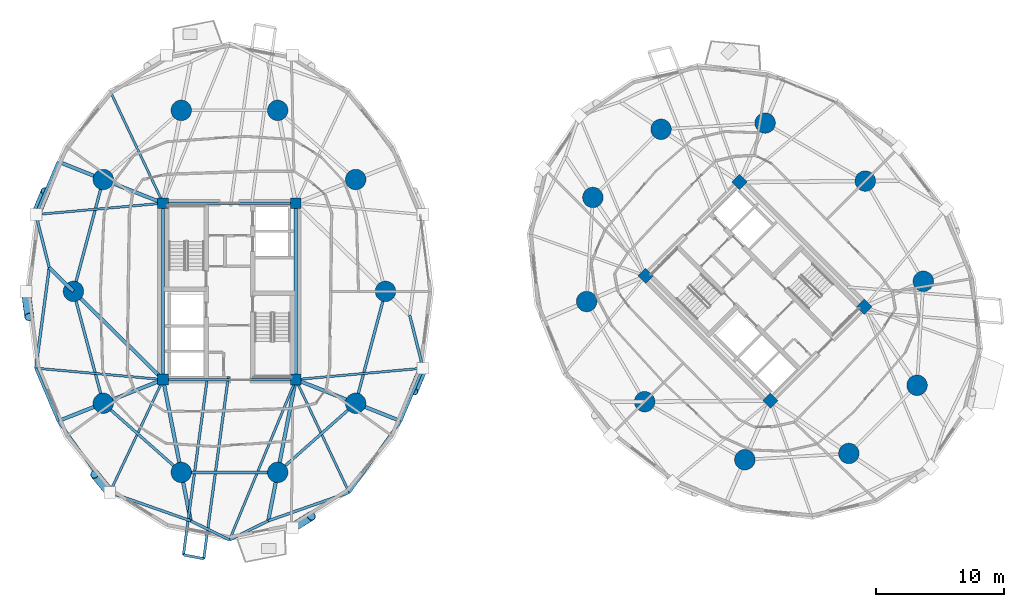
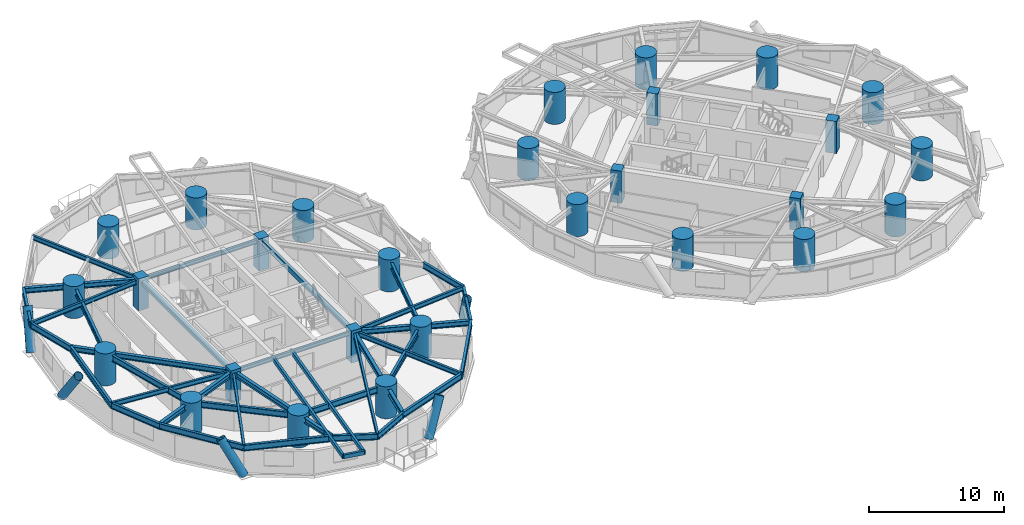
# One storey, part 1 of 18: 39 beams, 28 columns, 5 members.
"""IFC4 building model written with IfcOpenShell, lengths in metres."""

from ifc_helpers import new_model, si_unit, direction, frame, origin, origin_2d, place, context, subcontext, project, spatial, rectangle, hollow_rectangle, circle, hollow_circle, i_section, extrude, material, material_profile, profile_set, type_object, element, save


model = new_model("IFC4")

# Units and contexts
model_context = context("Model", 3, precision=1e-05, world=origin(), true_north=direction((0.0, 1.0)))
body_context = subcontext(model_context, "Body", "Model", "MODEL_VIEW")
ifc_project = project(units=[si_unit("LENGTHUNIT", "METRE"), si_unit("AREAUNIT", "SQUARE_METRE"), si_unit("VOLUMEUNIT", "CUBIC_METRE"), si_unit("PLANEANGLEUNIT", "RADIAN"), si_unit("MASSUNIT", "GRAM", prefix="KILO")], contexts=[model_context])

# Site, building, storey
site_placement = place(None, origin())
site = spatial("IfcSite", under=ifc_project, at=site_placement, CompositionType="ELEMENT")
building_placement = place(site_placement, origin())
building = spatial("IfcBuilding", under=site, at=building_placement, Name="Cununo Teusaquillo Station Towers", CompositionType="ELEMENT")
storey_placement = place(building_placement, frame((0.0, 0.0, 56.919921875)))
storey = spatial("IfcBuildingStorey", under=building, at=storey_placement, Name="L17", CompositionType="ELEMENT", Elevation=56.919921875)

# Columns
ifc_material_1 = material(Name="Concrete C50/60", Category="concrete")
ifc_material_profile_1 = material_profile(ifc_material_1, rectangle(XDim=0.85009765625, YDim=0.85009765625, at=origin_2d()), Name="RC-RECT-850x850")
ifc_profile_set_1 = profile_set([ifc_material_profile_1], Name="Concrete C50/60")
column_type_1 = type_object("IfcColumnType", Name="COL-CORE-Z1", PredefinedType="COLUMN", material=ifc_profile_set_1)
for number, where, z_axis, x_axis, name in (
    (1, (11.324951171875, 17.6201171875, 0.0), (0.0, 0.0, 1.0), (1.0, 0.0, 0.0), "L17 Tower A Core Column 1"),
    (2, (11.324951171875, 31.3798828125, 0.0), (0.0, 0.0, 1.0), (1.0, 0.0, 0.0), "L17 Tower A Core Column 2"),
    (3, (21.675048828125, 17.6201171875, 0.0), (0.0, 0.0, 1.0), (1.0, 0.0, 0.0), "L17 Tower A Core Column 3"),
    (4, (21.675048828125, 31.3798828125, 0.0), (0.0, 0.0, 1.0), (1.0, 0.0, 0.0), "L17 Tower A Core Column 4"),
    (5, (58.70556640625, 15.975830078125, 0.0), (0.0, 0.0, 1.0), (0.707106781187, 0.707106781187, 0.0), "L17 Tower B Core Column 1"),
    (6, (48.975830078125, 25.70556640625, 0.0), (0.0, 0.0, 1.0), (0.707106781187, 0.707106781187, 0.0), "L17 Tower B Core Column 2"),
    (7, (66.024169921875, 23.29443359375, 0.0), (0.0, 0.0, 1.0), (0.707106781187, 0.707106781187, 0.0), "L17 Tower B Core Column 3"),
    (8, (56.29443359375, 33.024169921875, 0.0), (0.0, 0.0, 1.0), (0.707106781187, 0.707106781187, 0.0), "L17 Tower B Core Column 4"),
):
    element("IfcColumn", number, at=place(storey_placement, frame(where, z_axis=z_axis, x_axis=x_axis)), inside=storey, type_object=column_type_1, Name=name, PredefinedType="COLUMN", context=body_context, shape_type="SweptSolid", body=[
        extrude(rectangle(XDim=0.85009765625, YDim=0.85009765625, at=origin_2d()), origin(), (0.0, 0.0, 1.0), 2.91015625),
    ])
ifc_material_2 = material(Name="Concrete C60/75", Category="concrete")
ifc_material_profile_2 = material_profile(ifc_material_2, circle(Radius=0.800048828125, at=origin_2d()), Name="RC-CIRC-1600")
ifc_profile_set_2 = profile_set([ifc_material_profile_2], Name="Concrete C60/75")
column_type_2 = type_object("IfcColumnType", Name="COL-MEGA-Z1", PredefinedType="USERDEFINED", material=ifc_profile_set_2)
for number, where, z_axis, x_axis, name in (
    (9, (28.672119140625, 24.5, 0.0), (0.0, 0.0, 1.0), (1.0, 0.0, 0.0), "L17 Tower A Perimeter Column V00"),
    (10, (26.347412109375, 33.228515625, 0.0), (0.0, 0.0, 1.0), (1.0, 0.0, 0.0), "L17 Tower A Perimeter Column V02"),
    (11, (20.261474609375, 38.623291015625, 0.0), (0.0, 0.0, 1.0), (1.0, 0.0, 0.0), "L17 Tower A Perimeter Column V04"),
    (12, (12.738525390625, 38.623291015625, 0.0), (0.0, 0.0, 1.0), (1.0, 0.0, 0.0), "L17 Tower A Perimeter Column V06"),
    (13, (6.652587890625, 33.228515625, 0.0), (0.0, 0.0, 1.0), (1.0, 0.0, 0.0), "L17 Tower A Perimeter Column V08"),
    (14, (4.327880859375, 24.5, 0.0), (0.0, 0.0, 1.0), (1.0, 0.0, 0.0), "L17 Tower A Perimeter Column V10"),
    (15, (6.652587890625, 15.771484375, 0.0), (0.0, 0.0, 1.0), (1.0, 0.0, 0.0), "L17 Tower A Perimeter Column V12"),
    (16, (12.738525390625, 10.376708984375, 0.0), (0.0, 0.0, 1.0), (1.0, 0.0, 0.0), "L17 Tower A Perimeter Column V14"),
    (17, (20.261474609375, 10.376708984375, 0.0), (0.0, 0.0, 1.0), (1.0, 0.0, 0.0), "L17 Tower A Perimeter Column V16"),
    (18, (26.347412109375, 15.771484375, 0.0), (0.0, 0.0, 1.0), (1.0, 0.0, 0.0), "L17 Tower A Perimeter Column V18"),
    (19, (66.10693359375, 33.10693359375, 0.0), (0.0, 0.0, 1.0), (1.0, 0.0, 0.0), "L17 Tower B Perimeter Column V00"),
    (20, (58.291015625, 37.63525390625, 0.0), (0.0, 0.0, 1.0), (1.0, 0.0, 0.0), "L17 Tower B Perimeter Column V02"),
    (21, (50.173095703125, 37.146240234375, 0.0), (0.0, 0.0, 1.0), (1.0, 0.0, 0.0), "L17 Tower B Perimeter Column V04"),
    (22, (44.853759765625, 31.826904296875, 0.0), (0.0, 0.0, 1.0), (1.0, 0.0, 0.0), "L17 Tower B Perimeter Column V06"),
    (23, (44.36474609375, 23.708984375, 0.0), (0.0, 0.0, 1.0), (1.0, 0.0, 0.0), "L17 Tower B Perimeter Column V08"),
    (24, (48.89306640625, 15.89306640625, 0.0), (0.0, 0.0, 1.0), (1.0, 0.0, 0.0), "L17 Tower B Perimeter Column V10"),
    (25, (56.708984375, 11.36474609375, 0.0), (0.0, 0.0, 1.0), (1.0, 0.0, 0.0), "L17 Tower B Perimeter Column V12"),
    (26, (64.826904296875, 11.853759765625, 0.0), (0.0, 0.0, 1.0), (1.0, 0.0, 0.0), "L17 Tower B Perimeter Column V14"),
    (27, (70.146240234375, 17.173095703125, 0.0), (0.0, 0.0, 1.0), (1.0, 0.0, 0.0), "L17 Tower B Perimeter Column V16"),
    (28, (70.63525390625, 25.291015625, 0.0), (0.0, 0.0, 1.0), (1.0, 0.0, 0.0), "L17 Tower B Perimeter Column V18"),
):
    element("IfcColumn", number, at=place(storey_placement, frame(where, z_axis=z_axis, x_axis=x_axis)), inside=storey, type_object=column_type_2, Name=name, ObjectType="MEGA COLUMN", PredefinedType="USERDEFINED", context=body_context, shape_type="SweptSolid", body=[
        extrude(circle(Radius=0.800048828125, at=origin_2d()), origin(), (0.0, 0.0, 1.0), 2.91015625),
    ])

# Beams
ifc_material_3 = material(Name="Steel EN 10025-2 S355J2", Category="steel")
ifc_material_profile_3 = material_profile(ifc_material_3, hollow_rectangle(XDim=0.199951171875, YDim=0.35009765625, WallThickness=0.013916015625, at=origin_2d()), Name="RHS 350x200x14")
ifc_profile_set_3 = profile_set([ifc_material_profile_3], Name="Steel EN 10025-2 S355J2")
beam_type_1 = type_object("IfcBeamType", Name="BM-BAL-CANT", PredefinedType="BEAM", material=ifc_profile_set_3)
beam_1_placement = place(storey_placement, frame((14.78759765625, 17.85009765625, 2.47509765625), z_axis=(-0.133936830088, -0.990989871566, 0.0), x_axis=(0.990989871566, -0.133936830088, 0.0)))
element("IfcBeam", 29, at=beam_1_placement, inside=storey, type_object=beam_type_1, Name="L17 Tower A Balcony Cantilever Bracket 2A", PredefinedType="BEAM", context=body_context, shape_type="SweptSolid", body=[
    extrude(hollow_rectangle(XDim=0.199951171875, YDim=0.35009765625, WallThickness=0.013916015625, at=origin_2d()), origin(), (0.0, 0.0, 1.0), 14.031982421875),
])
beam_2_placement = place(storey_placement, frame((16.415283203125, 17.85009765625, 2.47509765625), z_axis=(-0.133924221821, -0.990991575549, 0.0), x_axis=(0.990991575549, -0.133924221821, 0.0)))
element("IfcBeam", 30, at=beam_2_placement, inside=storey, type_object=beam_type_1, Name="L17 Tower A Balcony Cantilever Bracket 2B", PredefinedType="BEAM", context=body_context, shape_type="SweptSolid", body=[
    extrude(hollow_rectangle(XDim=0.199951171875, YDim=0.35009765625, WallThickness=0.013916015625, at=origin_2d()), origin(), (0.0, 0.0, 1.0), 14.34130859375),
])
ifc_material_4 = material(Name="Steel EN 10025-2 S355J2", Category="steel")
ifc_material_profile_4 = material_profile(ifc_material_4, hollow_rectangle(XDim=0.25, YDim=0.449951171875, WallThickness=0.01611328125, at=origin_2d()), Name="RHS 450x250x16")
ifc_profile_set_4 = profile_set([ifc_material_profile_4], Name="Steel EN 10025-2 S355J2")
beam_type_2 = type_object("IfcBeamType", Name="BM-COUP-1", PredefinedType="USERDEFINED", material=ifc_profile_set_4)
for number, where, z_axis, x_axis, name in (
    (31, (11.324951171875, 17.6201171875, 2.425048828125), (0.0, 1.0, 0.0), (-1.0, 0.0, 0.0), "L17 Tower A Core Beam 1"),
    (32, (21.675048828125, 17.6201171875, 2.425048828125), (0.0, 1.0, 0.0), (-1.0, 0.0, 0.0), "L17 Tower A Core Beam 2"),
):
    element("IfcBeam", number, at=place(storey_placement, frame(where, z_axis=z_axis, x_axis=x_axis)), inside=storey, type_object=beam_type_2, Name=name, ObjectType="COUPLING BEAM", PredefinedType="USERDEFINED", context=body_context, shape_type="SweptSolid", body=[
        extrude(hollow_rectangle(XDim=0.25, YDim=0.449951171875, WallThickness=0.01611328125, at=origin_2d()), origin(), (0.0, 0.0, 1.0), 13.759765625),
    ])
ifc_material_5 = material(Name="Steel ASTM A572 Grade 50", Category="steel")
ifc_material_profile_5 = material_profile(ifc_material_5, i_section(OverallWidth=0.180908203125, OverallDepth=0.4169921875, WebThickness=0.010986328125, FlangeThickness=0.018310546875, FilletRadius=0.012939453125, at=origin_2d()), Name="W16X57")
ifc_profile_set_5 = profile_set([ifc_material_profile_5], Name="Steel ASTM A572 Grade 50")
beam_type_3 = type_object("IfcBeamType", Name="BM-JOIST-1", PredefinedType="JOIST", material=ifc_profile_set_5)
beam_3_placement = place(storey_placement, frame((11.324951171875, 31.3798828125, 2.441650390625), z_axis=(-0.427160580437, 0.904175778552, 0.0), x_axis=(-0.904175778552, -0.427160580437, 0.0)))
element("IfcBeam", 33, at=beam_3_placement, inside=storey, type_object=beam_type_3, Name="L17 Tower A Radial Spandrel Joist V07", PredefinedType="JOIST", context=body_context, shape_type="SweptSolid", body=[
    extrude(i_section(OverallWidth=0.180908203125, OverallDepth=0.4169921875, WebThickness=0.010986328125, FlangeThickness=0.018310546875, FilletRadius=0.012939453125, at=origin_2d()), origin(), (0.0, 0.0, 1.0), 9.740234375),
])
for number, where, z_axis, x_axis, name in (
    (34, (11.324951171875, 31.3798828125, 2.441650390625), (-0.996024214913, -0.089082901314, 0.0), (0.089082901314, -0.996024214913, 0.0), "L17 Tower A Radial Spandrel Joist V09"),
    (35, (11.324951171875, 17.6201171875, 2.441650390625), (-0.996024214913, 0.089082901314, 0.0), (-0.089082901314, -0.996024214913, 0.0), "L17 Tower A Radial Spandrel Joist V11"),
):
    element("IfcBeam", number, at=place(storey_placement, frame(where, z_axis=z_axis, x_axis=x_axis)), inside=storey, type_object=beam_type_3, Name=name, PredefinedType="JOIST", context=body_context, shape_type="SweptSolid", body=[
        extrude(i_section(OverallWidth=0.180908203125, OverallDepth=0.4169921875, WebThickness=0.010986328125, FlangeThickness=0.018310546875, FilletRadius=0.012939453125, at=origin_2d()), origin(), (0.0, 0.0, 1.0), 9.97021484375),
    ])
beam_4_placement = place(storey_placement, frame((11.324951171875, 17.6201171875, 2.441650390625), z_axis=(-0.427160580437, -0.904175778552, 0.0), x_axis=(0.904175778552, -0.427160580437, 0.0)))
element("IfcBeam", 36, at=beam_4_placement, inside=storey, type_object=beam_type_3, Name="L17 Tower A Radial Spandrel Joist V13", PredefinedType="JOIST", context=body_context, shape_type="SweptSolid", body=[
    extrude(i_section(OverallWidth=0.180908203125, OverallDepth=0.4169921875, WebThickness=0.010986328125, FlangeThickness=0.018310546875, FilletRadius=0.012939453125, at=origin_2d()), origin(), (0.0, 0.0, 1.0), 9.740234375),
])
beam_5_placement = place(storey_placement, frame((21.675048828125, 17.6201171875, 2.441650390625), z_axis=(-0.382256753081, -0.924056153447, 0.0), x_axis=(0.924056153447, -0.382256753081, 0.0)))
element("IfcBeam", 37, at=beam_5_placement, inside=storey, type_object=beam_type_3, Name="L17 Tower A Radial Spandrel Joist V15", PredefinedType="JOIST", context=body_context, shape_type="SweptSolid", body=[
    extrude(i_section(OverallWidth=0.180908203125, OverallDepth=0.4169921875, WebThickness=0.010986328125, FlangeThickness=0.018310546875, FilletRadius=0.012939453125, at=origin_2d()), origin(), (0.0, 0.0, 1.0), 13.5380859375),
])
beam_6_placement = place(storey_placement, frame((21.675048828125, 17.6201171875, 2.441650390625), z_axis=(0.427160580437, -0.904175778552, 0.0), x_axis=(0.904175778552, 0.427160580437, 0.0)))
element("IfcBeam", 38, at=beam_6_placement, inside=storey, type_object=beam_type_3, Name="L17 Tower A Radial Spandrel Joist V17", PredefinedType="JOIST", context=body_context, shape_type="SweptSolid", body=[
    extrude(i_section(OverallWidth=0.180908203125, OverallDepth=0.4169921875, WebThickness=0.010986328125, FlangeThickness=0.018310546875, FilletRadius=0.012939453125, at=origin_2d()), origin(), (0.0, 0.0, 1.0), 9.740234375),
])
beam_7_placement = place(storey_placement, frame((21.675048828125, 17.6201171875, 2.441650390625), z_axis=(0.996024214913, 0.089082901314, 0.0), x_axis=(-0.089082901314, 0.996024214913, 0.0)))
element("IfcBeam", 39, at=beam_7_placement, inside=storey, type_object=beam_type_3, Name="L17 Tower A Radial Spandrel Joist V19", PredefinedType="JOIST", context=body_context, shape_type="SweptSolid", body=[
    extrude(i_section(OverallWidth=0.180908203125, OverallDepth=0.4169921875, WebThickness=0.010986328125, FlangeThickness=0.018310546875, FilletRadius=0.012939453125, at=origin_2d()), origin(), (0.0, 0.0, 1.0), 9.97021484375),
])
ifc_material_6 = material(Name="Steel ASTM A572 Grade 50", Category="steel")
ifc_material_profile_6 = material_profile(ifc_material_6, i_section(OverallWidth=0.2041015625, OverallDepth=0.35009765625, WebThickness=0.008544921875, FlangeThickness=0.01513671875, FilletRadius=0.011962890625, at=origin_2d()), Name="W14X48")
ifc_profile_set_6 = profile_set([ifc_material_profile_6], Name="Steel ASTM A572 Grade 50")
beam_type_4 = type_object("IfcBeamType", Name="BM-LINTEL-1", PredefinedType="LINTEL", material=ifc_profile_set_6)
for number, where, z_axis, x_axis, name in (
    (40, (11.324951171875, 17.6201171875, 2.47509765625), (1.0, 0.0, 0.0), (0.0, 1.0, 0.0), "L17 Tower A Core Beam 3"),
    (41, (11.324951171875, 31.3798828125, 2.47509765625), (1.0, 0.0, 0.0), (0.0, 1.0, 0.0), "L17 Tower A Core Beam 4"),
):
    element("IfcBeam", number, at=place(storey_placement, frame(where, z_axis=z_axis, x_axis=x_axis)), inside=storey, type_object=beam_type_4, Name=name, PredefinedType="LINTEL", context=body_context, shape_type="SweptSolid", body=[
        extrude(i_section(OverallWidth=0.2041015625, OverallDepth=0.35009765625, WebThickness=0.008544921875, FlangeThickness=0.01513671875, FilletRadius=0.011962890625, at=origin_2d()), origin(), (0.0, 0.0, 1.0), 10.35009765625),
    ])
ifc_material_7 = material(Name="Steel ASTM A572 Grade 50", Category="steel")
ifc_material_profile_7 = material_profile(ifc_material_7, i_section(OverallWidth=0.280029296875, OverallDepth=0.462890625, WebThickness=0.0107421875, FlangeThickness=0.017333984375, FilletRadius=0.013916015625, at=origin_2d()), Name="W18X76")
ifc_profile_set_7 = profile_set([ifc_material_profile_7], Name="Steel ASTM A572 Grade 50")
beam_type_5 = type_object("IfcBeamType", Name="BM-RAD-G1", PredefinedType="BEAM", material=ifc_profile_set_7)
beam_8_placement = place(storey_placement, frame((11.324951171875, 31.3798828125, 2.41845703125), z_axis=(-0.929867137966, 0.367895509256, 0.0), x_axis=(-0.367895509256, -0.929867137966, 0.0)))
element("IfcBeam", 42, at=beam_8_placement, inside=storey, type_object=beam_type_5, Name="L17 Tower A Continuous Overhanging Radial Girder 05", PredefinedType="BEAM", context=body_context, shape_type="SweptSolid", body=[
    extrude(i_section(OverallWidth=0.280029296875, OverallDepth=0.462890625, WebThickness=0.0107421875, FlangeThickness=0.017333984375, FilletRadius=0.013916015625, at=origin_2d()), origin(), (0.0, 0.0, 1.0), 8.798095703125),
])
beam_9_placement = place(storey_placement, frame((11.324951171875, 17.6201171875, 2.41845703125), z_axis=(-0.713052701438, 0.701110437073, 0.0), x_axis=(-0.701110437073, -0.713052701438, 0.0)))
element("IfcBeam", 43, at=beam_9_placement, inside=storey, type_object=beam_type_5, Name="L17 Tower A Radial Girder 06A", PredefinedType="BEAM", context=body_context, shape_type="SweptSolid", body=[
    extrude(i_section(OverallWidth=0.280029296875, OverallDepth=0.462890625, WebThickness=0.0107421875, FlangeThickness=0.017333984375, FilletRadius=0.013916015625, at=origin_2d()), origin(), (0.0, 0.0, 1.0), 9.812744140625),
])
beam_10_placement = place(storey_placement, frame((4.327880859375, 24.5, 2.41845703125), z_axis=(-0.713032905062, 0.701130570079, 0.0), x_axis=(-0.701130570079, -0.713032905062, 0.0)))
element("IfcBeam", 44, at=beam_10_placement, inside=storey, type_object=beam_type_5, Name="L17 Tower A Perimeter Overhang Girder 06B", PredefinedType="BEAM", context=body_context, shape_type="SweptSolid", body=[
    extrude(i_section(OverallWidth=0.280029296875, OverallDepth=0.462890625, WebThickness=0.0107421875, FlangeThickness=0.017333984375, FilletRadius=0.013916015625, at=origin_2d()), origin(), (0.0, 0.0, 1.0), 2.64599609375),
])
beam_11_placement = place(storey_placement, frame((11.324951171875, 17.6201171875, 2.41845703125), z_axis=(-0.929867137966, -0.367895509256, 0.0), x_axis=(0.367895509256, -0.929867137966, 0.0)))
element("IfcBeam", 45, at=beam_11_placement, inside=storey, type_object=beam_type_5, Name="L17 Tower A Continuous Overhanging Radial Girder 07", PredefinedType="BEAM", context=body_context, shape_type="SweptSolid", body=[
    extrude(i_section(OverallWidth=0.280029296875, OverallDepth=0.462890625, WebThickness=0.0107421875, FlangeThickness=0.017333984375, FilletRadius=0.013916015625, at=origin_2d()), origin(), (0.0, 0.0, 1.0), 8.798095703125),
])
for number, where, z_axis, x_axis, name in (
    (46, (11.324951171875, 17.6201171875, 2.41845703125), (0.191552755713, -0.981482318628, 0.0), (0.981482318628, 0.191552755713, 0.0), "L17 Tower A Continuous Overhanging Radial Girder 08"),
    (47, (21.675048828125, 17.6201171875, 2.41845703125), (-0.191552755713, -0.981482318628, 0.0), (0.981482318628, -0.191552755713, 0.0), "L17 Tower A Continuous Overhanging Radial Girder 09"),
):
    element("IfcBeam", number, at=place(storey_placement, frame(where, z_axis=z_axis, x_axis=x_axis)), inside=storey, type_object=beam_type_5, Name=name, PredefinedType="BEAM", context=body_context, shape_type="SweptSolid", body=[
        extrude(i_section(OverallWidth=0.280029296875, OverallDepth=0.462890625, WebThickness=0.0107421875, FlangeThickness=0.017333984375, FilletRadius=0.013916015625, at=origin_2d()), origin(), (0.0, 0.0, 1.0), 11.22998046875),
    ])
beam_12_placement = place(storey_placement, frame((21.675048828125, 17.6201171875, 2.41845703125), z_axis=(0.929867137966, -0.367895509256, 0.0), x_axis=(0.367895509256, 0.929867137966, 0.0)))
element("IfcBeam", 48, at=beam_12_placement, inside=storey, type_object=beam_type_5, Name="L17 Tower A Continuous Overhanging Radial Girder 10", PredefinedType="BEAM", context=body_context, shape_type="SweptSolid", body=[
    extrude(i_section(OverallWidth=0.280029296875, OverallDepth=0.462890625, WebThickness=0.0107421875, FlangeThickness=0.017333984375, FilletRadius=0.013916015625, at=origin_2d()), origin(), (0.0, 0.0, 1.0), 8.798095703125),
])
ifc_material_8 = material(Name="Steel ASTM A572 Grade 50", Category="steel")
ifc_material_profile_8 = material_profile(ifc_material_8, i_section(OverallWidth=0.214111328125, OverallDepth=0.549072265625, WebThickness=0.0146484375, FlangeThickness=0.023681640625, FilletRadius=0.014892578125, at=origin_2d()), Name="W21X93")
ifc_profile_set_8 = profile_set([ifc_material_profile_8], Name="Steel ASTM A572 Grade 50")
beam_type_6 = type_object("IfcBeamType", Name="BM-RING-Z1", PredefinedType="SPANDREL", material=ifc_profile_set_8)
for number, where, z_axis, x_axis, name in (
    (49, (6.652587890625, 33.228515625, 2.37548828125), (-0.257363196347, -0.966314744359, 0.0), (0.966314744359, -0.257363196347, 0.0), "L17 Tower A Structural Column Ring Girder 05"),
    (50, (4.327880859375, 24.5, 2.37548828125), (0.257363196347, -0.966314744359, 0.0), (0.966314744359, 0.257363196347, 0.0), "L17 Tower A Structural Column Ring Girder 06"),
):
    element("IfcBeam", number, at=place(storey_placement, frame(where, z_axis=z_axis, x_axis=x_axis)), inside=storey, type_object=beam_type_6, Name=name, PredefinedType="SPANDREL", context=body_context, shape_type="SweptSolid", body=[
        extrude(i_section(OverallWidth=0.214111328125, OverallDepth=0.549072265625, WebThickness=0.0146484375, FlangeThickness=0.023681640625, FilletRadius=0.014892578125, at=origin_2d()), origin(), (0.0, 0.0, 1.0), 9.03271484375),
    ])
beam_13_placement = place(storey_placement, frame((6.652587890625, 15.771484375, 2.37548828125), z_axis=(0.74832120039, -0.66333655187, 0.0), x_axis=(0.66333655187, 0.74832120039, 0.0)))
element("IfcBeam", 51, at=beam_13_placement, inside=storey, type_object=beam_type_6, Name="L17 Tower A Structural Column Ring Girder 07", PredefinedType="SPANDREL", context=body_context, shape_type="SweptSolid", body=[
    extrude(i_section(OverallWidth=0.214111328125, OverallDepth=0.549072265625, WebThickness=0.0146484375, FlangeThickness=0.023681640625, FilletRadius=0.014892578125, at=origin_2d()), origin(), (0.0, 0.0, 1.0), 8.1328125),
])
beam_14_placement = place(storey_placement, frame((12.738525390625, 10.376708984375, 2.37548828125), z_axis=(1.0, 0.0, 0.0), x_axis=(0.0, 1.0, 0.0)))
element("IfcBeam", 52, at=beam_14_placement, inside=storey, type_object=beam_type_6, Name="L17 Tower A Structural Column Ring Girder 08", PredefinedType="SPANDREL", context=body_context, shape_type="SweptSolid", body=[
    extrude(i_section(OverallWidth=0.214111328125, OverallDepth=0.549072265625, WebThickness=0.0146484375, FlangeThickness=0.023681640625, FilletRadius=0.014892578125, at=origin_2d()), origin(), (0.0, 0.0, 1.0), 7.52294921875),
])
beam_15_placement = place(storey_placement, frame((20.261474609375, 10.376708984375, 2.37548828125), z_axis=(0.74832120039, 0.66333655187, 0.0), x_axis=(-0.66333655187, 0.74832120039, 0.0)))
element("IfcBeam", 53, at=beam_15_placement, inside=storey, type_object=beam_type_6, Name="L17 Tower A Structural Column Ring Girder 09", PredefinedType="SPANDREL", context=body_context, shape_type="SweptSolid", body=[
    extrude(i_section(OverallWidth=0.214111328125, OverallDepth=0.549072265625, WebThickness=0.0146484375, FlangeThickness=0.023681640625, FilletRadius=0.014892578125, at=origin_2d()), origin(), (0.0, 0.0, 1.0), 8.1328125),
])
beam_16_placement = place(storey_placement, frame((26.347412109375, 15.771484375, 2.37548828125), z_axis=(0.257363196347, 0.966314744359, 0.0), x_axis=(-0.966314744359, 0.257363196347, 0.0)))
element("IfcBeam", 54, at=beam_16_placement, inside=storey, type_object=beam_type_6, Name="L17 Tower A Structural Column Ring Girder 10", PredefinedType="SPANDREL", context=body_context, shape_type="SweptSolid", body=[
    extrude(i_section(OverallWidth=0.214111328125, OverallDepth=0.549072265625, WebThickness=0.0146484375, FlangeThickness=0.023681640625, FilletRadius=0.014892578125, at=origin_2d()), origin(), (0.0, 0.0, 1.0), 9.03271484375),
])
beam_17_placement = place(storey_placement, frame((3.143798828125, 34.61669921875, 2.37548828125), z_axis=(-0.390457491743, -0.920620957366, 0.0), x_axis=(0.920620957366, -0.390457491743, 0.0)))
element("IfcBeam", 55, at=beam_17_placement, inside=storey, type_object=beam_type_6, Name="L17 Tower A Spandrel Ring Beam 09", PredefinedType="SPANDREL", context=body_context, shape_type="SweptSolid", body=[
    extrude(i_section(OverallWidth=0.214111328125, OverallDepth=0.549072265625, WebThickness=0.0146484375, FlangeThickness=0.023681640625, FilletRadius=0.014892578125, at=origin_2d()), origin(), (0.0, 0.0, 1.0), 4.480712890625),
])
beam_18_placement = place(storey_placement, frame((1.394287109375, 30.49169921875, 2.37548828125), z_axis=(0.24534835638, -0.969434981843, 0.0), x_axis=(0.969434981843, 0.24534835638, 0.0)))
element("IfcBeam", 56, at=beam_18_placement, inside=storey, type_object=beam_type_6, Name="L17 Tower A Spandrel Ring Beam 10", PredefinedType="SPANDREL", context=body_context, shape_type="SweptSolid", body=[
    extrude(i_section(OverallWidth=0.214111328125, OverallDepth=0.549072265625, WebThickness=0.0146484375, FlangeThickness=0.023681640625, FilletRadius=0.014892578125, at=origin_2d()), origin(), (0.0, 0.0, 1.0), 4.266845703125),
])
beam_19_placement = place(storey_placement, frame((2.441162109375, 26.355224609375, 2.37548828125), z_axis=(-0.132240482179, -0.991217662712, 0.0), x_axis=(0.991217662712, -0.132240482179, 0.0)))
element("IfcBeam", 57, at=beam_19_placement, inside=storey, type_object=beam_type_6, Name="L17 Tower A Spandrel Ring Beam 11", PredefinedType="SPANDREL", context=body_context, shape_type="SweptSolid", body=[
    extrude(i_section(OverallWidth=0.214111328125, OverallDepth=0.549072265625, WebThickness=0.0146484375, FlangeThickness=0.023681640625, FilletRadius=0.014892578125, at=origin_2d()), origin(), (0.0, 0.0, 1.0), 7.91650390625),
])
beam_20_placement = place(storey_placement, frame((1.394287109375, 18.50830078125, 2.37548828125), z_axis=(0.390457491743, -0.920620957366, 0.0), x_axis=(0.920620957366, 0.390457491743, 0.0)))
element("IfcBeam", 58, at=beam_20_placement, inside=storey, type_object=beam_type_6, Name="L17 Tower A Spandrel Ring Beam 12", PredefinedType="SPANDREL", context=body_context, shape_type="SweptSolid", body=[
    extrude(i_section(OverallWidth=0.214111328125, OverallDepth=0.549072265625, WebThickness=0.0146484375, FlangeThickness=0.023681640625, FilletRadius=0.014892578125, at=origin_2d()), origin(), (0.0, 0.0, 1.0), 4.480712890625),
])
beam_21_placement = place(storey_placement, frame((3.143798828125, 14.38330078125, 2.37548828125), z_axis=(0.585268642749, -0.810839451319, 0.0), x_axis=(0.810839451319, 0.585268642749, 0.0)))
element("IfcBeam", 59, at=beam_21_placement, inside=storey, type_object=beam_type_6, Name="L17 Tower A Spandrel Ring Beam 13", PredefinedType="SPANDREL", context=body_context, shape_type="SweptSolid", body=[
    extrude(i_section(OverallWidth=0.214111328125, OverallDepth=0.549072265625, WebThickness=0.0146484375, FlangeThickness=0.023681640625, FilletRadius=0.014892578125, at=origin_2d()), origin(), (0.0, 0.0, 1.0), 6.86962890625),
])
beam_22_placement = place(storey_placement, frame((7.164306640625, 8.813232421875, 2.37548828125), z_axis=(0.943579776012, -0.33114529485, 0.0), x_axis=(0.33114529485, 0.943579776012, 0.0)))
element("IfcBeam", 60, at=beam_22_placement, inside=storey, type_object=beam_type_6, Name="L17 Tower A Spandrel Ring Beam 14", PredefinedType="SPANDREL", context=body_context, shape_type="SweptSolid", body=[
    extrude(i_section(OverallWidth=0.214111328125, OverallDepth=0.549072265625, WebThickness=0.0146484375, FlangeThickness=0.023681640625, FilletRadius=0.014892578125, at=origin_2d()), origin(), (0.0, 0.0, 1.0), 6.689208984375),
])
for number, where, z_axis, x_axis, name in (
    (61, (13.47607421875, 6.59814453125, 2.37548828125), (0.8972488299, -0.441525239645, 0.0), (0.441525239645, 0.8972488299, 0.0), "L17 Tower A Spandrel Ring Beam 15"),
    (62, (16.5, 5.110107421875, 2.37548828125), (0.8972488299, 0.441525239645, 0.0), (-0.441525239645, 0.8972488299, 0.0), "L17 Tower A Spandrel Ring Beam 16"),
):
    element("IfcBeam", number, at=place(storey_placement, frame(where, z_axis=z_axis, x_axis=x_axis)), inside=storey, type_object=beam_type_6, Name=name, PredefinedType="SPANDREL", context=body_context, shape_type="SweptSolid", body=[
        extrude(i_section(OverallWidth=0.214111328125, OverallDepth=0.549072265625, WebThickness=0.0146484375, FlangeThickness=0.023681640625, FilletRadius=0.014892578125, at=origin_2d()), origin(), (0.0, 0.0, 1.0), 3.3701171875),
    ])
beam_23_placement = place(storey_placement, frame((19.52392578125, 6.59814453125, 2.37548828125), z_axis=(0.943579776012, 0.33114529485, 0.0), x_axis=(-0.33114529485, 0.943579776012, 0.0)))
element("IfcBeam", 63, at=beam_23_placement, inside=storey, type_object=beam_type_6, Name="L17 Tower A Spandrel Ring Beam 17", PredefinedType="SPANDREL", context=body_context, shape_type="SweptSolid", body=[
    extrude(i_section(OverallWidth=0.214111328125, OverallDepth=0.549072265625, WebThickness=0.0146484375, FlangeThickness=0.023681640625, FilletRadius=0.014892578125, at=origin_2d()), origin(), (0.0, 0.0, 1.0), 6.689208984375),
])
beam_24_placement = place(storey_placement, frame((25.835693359375, 8.813232421875, 2.37548828125), z_axis=(0.585268642749, 0.810839451319, 0.0), x_axis=(-0.810839451319, 0.585268642749, 0.0)))
element("IfcBeam", 64, at=beam_24_placement, inside=storey, type_object=beam_type_6, Name="L17 Tower A Spandrel Ring Beam 18", PredefinedType="SPANDREL", context=body_context, shape_type="SweptSolid", body=[
    extrude(i_section(OverallWidth=0.214111328125, OverallDepth=0.549072265625, WebThickness=0.0146484375, FlangeThickness=0.023681640625, FilletRadius=0.014892578125, at=origin_2d()), origin(), (0.0, 0.0, 1.0), 6.86962890625),
])
beam_25_placement = place(storey_placement, frame((29.856201171875, 14.38330078125, 2.37548828125), z_axis=(0.390457491743, 0.920620957366, 0.0), x_axis=(-0.920620957366, 0.390457491743, 0.0)))
element("IfcBeam", 65, at=beam_25_placement, inside=storey, type_object=beam_type_6, Name="L17 Tower A Spandrel Ring Beam 19", PredefinedType="SPANDREL", context=body_context, shape_type="SweptSolid", body=[
    extrude(i_section(OverallWidth=0.214111328125, OverallDepth=0.549072265625, WebThickness=0.0146484375, FlangeThickness=0.023681640625, FilletRadius=0.014892578125, at=origin_2d()), origin(), (0.0, 0.0, 1.0), 4.480712890625),
])
beam_26_placement = place(storey_placement, frame((31.605712890625, 18.50830078125, 2.37548828125), z_axis=(-0.24534835638, 0.969434981843, 0.0), x_axis=(-0.969434981843, -0.24534835638, 0.0)))
element("IfcBeam", 66, at=beam_26_placement, inside=storey, type_object=beam_type_6, Name="L17 Tower A Spandrel Ring Beam 20", PredefinedType="SPANDREL", context=body_context, shape_type="SweptSolid", body=[
    extrude(i_section(OverallWidth=0.214111328125, OverallDepth=0.549072265625, WebThickness=0.0146484375, FlangeThickness=0.023681640625, FilletRadius=0.014892578125, at=origin_2d()), origin(), (0.0, 0.0, 1.0), 4.266845703125),
])
ifc_material_9 = material(Name="Steel EN 10025-2 S355J2", Category="steel")
ifc_material_profile_9 = material_profile(ifc_material_9, hollow_rectangle(XDim=0.199951171875, YDim=0.35009765625, WallThickness=0.013916015625, at=origin_2d()), Name="RHS 350x200x14")
ifc_profile_set_9 = profile_set([ifc_material_profile_9], Name="Steel EN 10025-2 S355J2")
beam_type_7 = type_object("IfcBeamType", Name="BM-STAIR-TRIM", PredefinedType="BEAM", material=ifc_profile_set_9)
beam_27_placement = place(storey_placement, frame((12.908203125, 3.944580078125, 2.525146484375), z_axis=(0.981827104253, -0.189777599714, 0.0), x_axis=(0.189777599714, 0.981827104253, 0.0)))
element("IfcBeam", 67, at=beam_27_placement, inside=storey, type_object=beam_type_7, Name="L17 Tower A Balcony Edge Trimmer Beam 2", PredefinedType="BEAM", context=body_context, shape_type="SweptSolid", body=[
    extrude(hollow_rectangle(XDim=0.199951171875, YDim=0.35009765625, WallThickness=0.013916015625, at=origin_2d()), origin(), (0.0, 0.0, 1.0), 1.61572265625),
])

# Members
ifc_material_10 = material(Name="Steel EN 10025-2 S355J2", Category="steel")
ifc_material_profile_10 = material_profile(ifc_material_10, hollow_circle(Radius=0.360107421875, WallThickness=0.028076171875, at=origin_2d()), Name="CHS 720x28")
ifc_profile_set_10 = profile_set([ifc_material_profile_10], Name="Steel EN 10025-2 S355J2")
member_type = type_object("IfcMemberType", Name="MBR-DIAG-Z1", PredefinedType="BRACE", material=ifc_profile_set_10)
member_1_placement = place(storey_placement, frame((1.394287109375, 30.49169921875, -0.139892578125), z_axis=(0.214645581537, 0.514215851129, 0.830366986804), x_axis=(-0.922828895615, 0.385210110742, 0.0)))
element("IfcMember", 68, at=member_1_placement, inside=storey, type_object=member_type, Name="L17 Tower A Folded-Zigzag Diagrid Tube C08", PredefinedType="BRACE", context=body_context, shape_type="SweptSolid", body=[
    extrude(hollow_circle(Radius=0.360107421875, WallThickness=0.028076171875, at=origin_2d()), origin(), (0.0, 0.0, 1.0), 3.50439453125),
])
member_2_placement = place(storey_placement, frame((0.616943359375, 24.5, -0.139892578125), z_axis=(0.07326417821, -0.564382525361, 0.822255875782), x_axis=(0.991679310017, 0.128732847725, 0.0)))
element("IfcMember", 69, at=member_2_placement, inside=storey, type_object=member_type, Name="L17 Tower A Folded-Zigzag Diagrid Tube C10", PredefinedType="BRACE", context=body_context, shape_type="SweptSolid", body=[
    extrude(hollow_circle(Radius=0.360107421875, WallThickness=0.028076171875, at=origin_2d()), origin(), (0.0, 0.0, 1.0), 3.538818359375),
])
member_3_placement = place(storey_placement, frame((7.164306640625, 8.813232421875, -0.139892578125), z_axis=(-0.339790269287, 0.414787746398, 0.844093418015), x_axis=(-0.77357465795, -0.633705174807, 0.0)))
element("IfcMember", 70, at=member_3_placement, inside=storey, type_object=member_type, Name="L17 Tower A Folded-Zigzag Diagrid Tube C12", PredefinedType="BRACE", context=body_context, shape_type="SweptSolid", body=[
    extrude(hollow_circle(Radius=0.360107421875, WallThickness=0.028076171875, at=origin_2d()), origin(), (0.0, 0.0, 1.0), 3.447265625),
])
member_4_placement = place(storey_placement, frame((21.408203125, 6.05908203125, -0.139892578125), z_axis=(0.435419540414, 0.270831674435, 0.858522002018), x_axis=(-0.528166860975, 0.849140604946, 0.0)))
element("IfcMember", 71, at=member_4_placement, inside=storey, type_object=member_type, Name="L17 Tower A Folded-Zigzag Diagrid Tube C16", PredefinedType="BRACE", context=body_context, shape_type="SweptSolid", body=[
    extrude(hollow_circle(Radius=0.360107421875, WallThickness=0.028076171875, at=origin_2d()), origin(), (0.0, 0.0, 1.0), 3.389404296875),
])
member_5_placement = place(storey_placement, frame((31.605712890625, 18.50830078125, -0.139892578125), z_axis=(-0.214645581537, -0.514215851129, 0.830366986804), x_axis=(0.922828895615, -0.385210110742, 0.0)))
element("IfcMember", 72, at=member_5_placement, inside=storey, type_object=member_type, Name="L17 Tower A Folded-Zigzag Diagrid Tube C18", PredefinedType="BRACE", context=body_context, shape_type="SweptSolid", body=[
    extrude(hollow_circle(Radius=0.360107421875, WallThickness=0.028076171875, at=origin_2d()), origin(), (0.0, 0.0, 1.0), 3.50439453125),
])

save(model, "model.ifc")
